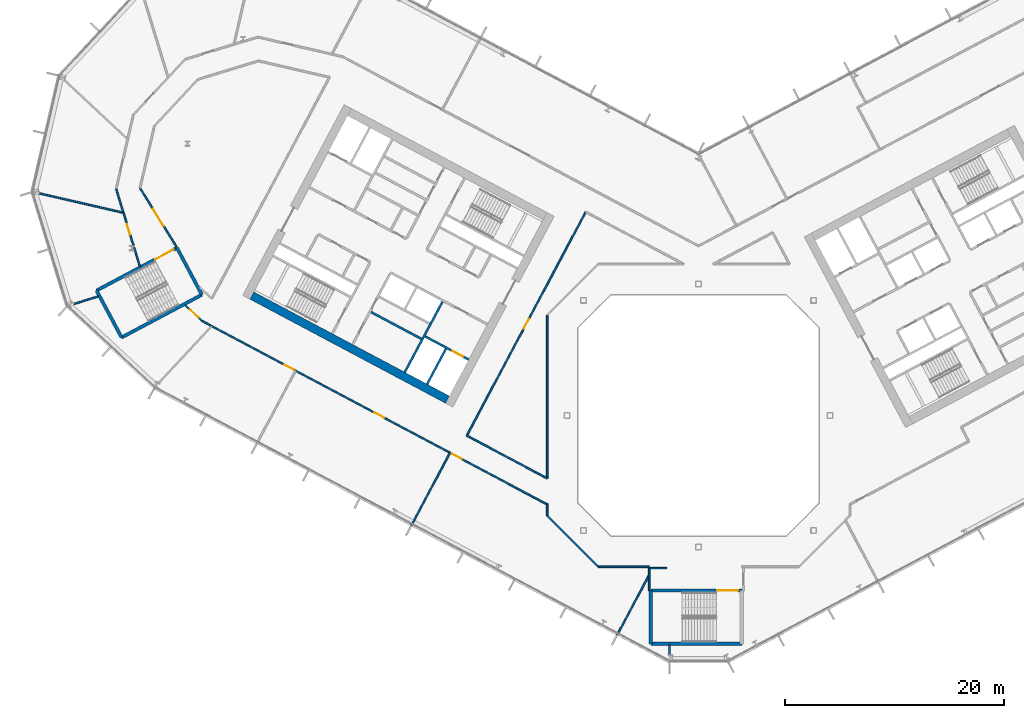
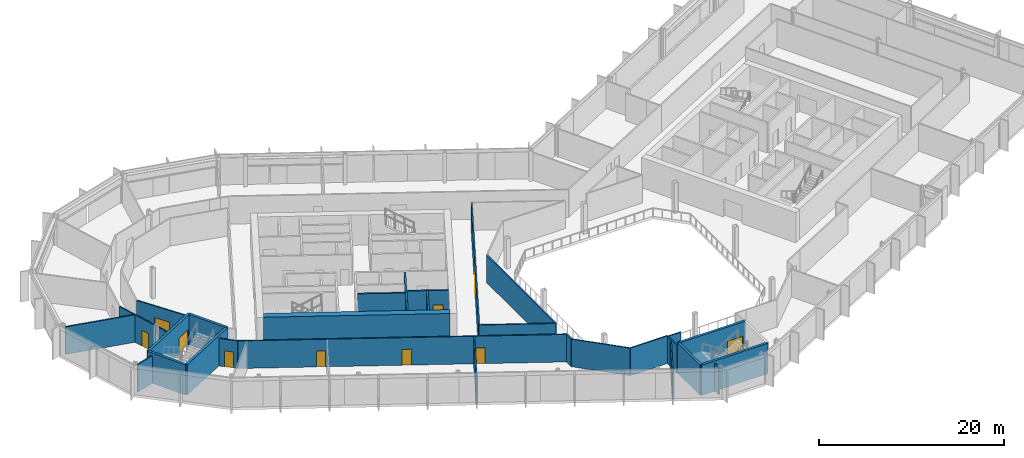
# One storey, part 13 of 28: 32 walls, 10 doors, 10 openings.
"""IFC4 building model written with IfcOpenShell, lengths in metres."""

import ifcopenshell
import ifcopenshell.guid

model = None  # the IFC model being written
_history = None  # IfcOwnerHistory: only IFC2X3 demands one
_inside = {}  # id of a spatial element -> (the spatial element, [elements in it])
_under = {}  # id of a project, library or spatial element -> (it, [spatial elements below it])
_declared = {}  # id of a project -> (the project, [libraries it declares])
_typed = {}  # id of a type object -> (the type object, [elements of that type])
_made_of = {}  # id of a material, layer set ... -> (it, [elements and type objects made of it])


def new_model(schema):
    """Start an empty IFC model of exactly this schema.

    Asked for "IFC4X3", IfcOpenShell would pick the latest addendum, in which some entities
    have other attributes; the version numbers below select the first issue.
    IFC2X3 requires an IfcOwnerHistory on every rooted entity: one is made here for all.
    """
    global model, _history
    if schema == "IFC4X3":
        model = ifcopenshell.file(schema_version=(4, 3, 0, 0))
    else:
        model = ifcopenshell.file(schema=schema)
    _inside.clear()
    _under.clear()
    _declared.clear()
    _typed.clear()
    _made_of.clear()
    _history = None
    if model.schema == "IFC2X3":
        org = make("IfcOrganization", Name="unknown")
        user = make(
            "IfcPersonAndOrganization",
            ThePerson=make("IfcPerson", FamilyName="unknown"),
            TheOrganization=org,
        )
        app = make(
            "IfcApplication",
            ApplicationDeveloper=org,
            Version="unknown",
            ApplicationFullName="unknown",
            ApplicationIdentifier="unknown",
        )
        _history = make(
            "IfcOwnerHistory",
            OwningUser=user,
            OwningApplication=app,
            ChangeAction="ADDED",
            CreationDate=0,
        )
    return model


def make(cls, **values):
    """One entity of the class cls with the attributes given. An attribute that is None is left unset."""
    return model.create_entity(
        cls, **{name: value for name, value in values.items() if value is not None}
    )


def rooted(cls, **values):
    """An entity with a GlobalId (a new one), such as an element, a storey or a relation."""
    return make(cls, GlobalId=ifcopenshell.guid.new(), OwnerHistory=_history, **values)


def si_unit(unit_type, name, prefix=None):
    """IfcSIUnit, for example si_unit("LENGTHUNIT", "METRE", prefix="MILLI")."""
    return make("IfcSIUnit", UnitType=unit_type, Prefix=prefix, Name=name)


def assignment(units):
    """IfcUnitAssignment: the units of a project."""
    return None if units is None else make("IfcUnitAssignment", Units=units)


def point(xyz):
    """IfcCartesianPoint."""
    return None if xyz is None else make("IfcCartesianPoint", Coordinates=xyz)


def direction(xyz):
    """IfcDirection."""
    return None if xyz is None else make("IfcDirection", DirectionRatios=xyz)


def frame(location, z_axis=None, x_axis=None):
    """IfcAxis2Placement3D, a coordinate frame: its origin and axes. An axis left out is left unset."""
    return make(
        "IfcAxis2Placement3D",
        Location=point(location),
        Axis=direction(z_axis),
        RefDirection=direction(x_axis),
    )


def frame_2d(location, x_axis=None):
    """IfcAxis2Placement2D, a coordinate frame in the plane: its origin and x axis."""
    return make(
        "IfcAxis2Placement2D", Location=point(location), RefDirection=direction(x_axis)
    )


def origin():
    """The frame at (0, 0, 0) with its axes left unset."""
    return frame((0.0, 0.0, 0.0))


def place(relative_to, where):
    """IfcLocalPlacement: puts the frame where relative to a parent placement (None: the world)."""
    return make(
        "IfcLocalPlacement", PlacementRelTo=relative_to, RelativePlacement=where
    )


def context(
    kind, dimensions, precision=None, world=None, true_north=None, identifier=None
):
    """IfcGeometricRepresentationContext, for example the 3D "Model" context."""
    return make(
        "IfcGeometricRepresentationContext",
        ContextIdentifier=identifier,
        ContextType=kind,
        CoordinateSpaceDimension=dimensions,
        Precision=precision,
        WorldCoordinateSystem=world,
        TrueNorth=true_north,
    )


def subcontext(parent, identifier, kind, view, scale=None):
    """IfcGeometricRepresentationSubContext, for example "Body" below "Model"."""
    return make(
        "IfcGeometricRepresentationSubContext",
        ContextIdentifier=identifier,
        ContextType=kind,
        ParentContext=parent,
        TargetScale=scale,
        TargetView=view,
    )


def project(units=None, contexts=None):
    """IfcProject with its units and contexts."""
    return rooted(
        "IfcProject",
        Name="project",
        RepresentationContexts=contexts,
        UnitsInContext=assignment(units),
    )


def spatial(cls, under=None, at=None, **own):
    """A site, building, storey or space (cls), placed at a placement, below another one or the project."""
    s = rooted(cls, ObjectPlacement=at, **own)
    if under is not None:
        _under.setdefault(under.id(), (under, []))[1].append(s)
    return s


def profile(cls, at=None, kind="AREA", **sizes):
    """A parametric profile (cls). Its sizes go by their IFC names, for example OverallWidth=200.0."""
    return make(cls, ProfileType=kind, Position=at, **sizes)


def rectangle(**sizes):
    """IfcRectangleProfileDef."""
    return profile("IfcRectangleProfileDef", **sizes)


def extrude(swept, where, along, depth):
    """IfcExtrudedAreaSolid: the profile swept, set in the frame where, extruded along a direction by depth."""
    return make(
        "IfcExtrudedAreaSolid",
        SweptArea=swept,
        Position=where,
        ExtrudedDirection=direction(along),
        Depth=depth,
    )


def shape(context_of_items, identifier, shape_type, items):
    """IfcShapeRepresentation: the items that make up one representation, for example the "Body"."""
    return make(
        "IfcShapeRepresentation",
        ContextOfItems=context_of_items,
        RepresentationIdentifier=identifier,
        RepresentationType=shape_type,
        Items=items,
    )


def material(Name=None, Category=None):
    """IfcMaterial."""
    return make("IfcMaterial", Name=Name, Category=Category)


def layer(
    of_material, thickness, ventilated=None, Name=None, Category=None, Priority=None
):
    """IfcMaterialLayer: one layer of a wall or slab, of a material (None: an air gap)."""
    return make(
        "IfcMaterialLayer",
        Material=of_material,
        LayerThickness=thickness,
        IsVentilated=ventilated,
        Name=Name,
        Category=Category,
        Priority=Priority,
    )


def layer_set(layers, Name=None):
    """IfcMaterialLayerSet."""
    return make("IfcMaterialLayerSet", MaterialLayers=layers, LayerSetName=Name)


def made_of(thing, what):
    """Note that an element or type object is made of a material, layer set ...; save() writes the relation."""
    if what is not None:
        _made_of.setdefault(what.id(), (what, []))[1].append(thing)
    return thing


def type_object(cls, material=None, **own):
    """A type object (cls), such as IfcWallType, which elements share."""
    return made_of(rooted(cls, **own), material)


def element(
    cls,
    number,
    at=None,
    inside=None,
    cuts=None,
    type_object=None,
    material=None,
    context=None,
    identifier="Body",
    shape_type=None,
    held_by="IfcProductDefinitionShape",
    body=None,
    shapes=None,
    **own,
):
    """One element of the class cls, such as IfcWall. Its Tag is "e" and its number.

    at: its placement. inside: the storey or other place that contains it. cuts: it is an
    opening in that element (IfcRelVoidsElement). A single representation is given by context,
    identifier, shape_type and body (its items); several are given by shapes. held_by: the class
    of the entity that holds the representations. save() writes the other relations.
    """
    e = rooted(cls, Tag="e%d" % number, ObjectPlacement=at, **own)
    if body is not None:
        shapes = [shape(context, identifier, shape_type, body)]
    if shapes is not None:
        e.Representation = make(held_by, Representations=shapes)
    if inside is not None:
        _inside.setdefault(inside.id(), (inside, []))[1].append(e)
    if cuts is not None:
        rooted(
            "IfcRelVoidsElement", RelatingBuildingElement=cuts, RelatedOpeningElement=e
        )
    if type_object is not None:
        _typed.setdefault(type_object.id(), (type_object, []))[1].append(e)
    return made_of(e, material)


def fill(opening, filler):
    """IfcRelFillsElement: the door or window that sits in an opening."""
    return rooted(
        "IfcRelFillsElement",
        RelatingOpeningElement=opening,
        RelatedBuildingElement=filler,
    )


def aggregate(whole, parts):
    """IfcRelAggregates: a whole, such as a stair, and the parts it consists of."""
    return rooted("IfcRelAggregates", RelatingObject=whole, RelatedObjects=parts)


def save(model, path):
    """Write the relations noted so far, then the file.

    IfcRelAggregates (storeys below a building ...), IfcRelContainedInSpatialStructure (elements
    in a storey), IfcRelDefinesByType, IfcRelAssociatesMaterial and IfcRelDeclares: one each for
    every whole, place, type object, material and project.
    """
    for whole, parts in _under.values():
        aggregate(whole, parts)
    for where, things in _inside.values():
        rooted(
            "IfcRelContainedInSpatialStructure",
            RelatedElements=things,
            RelatingStructure=where,
        )
    for kind, things in _typed.values():
        rooted("IfcRelDefinesByType", RelatedObjects=things, RelatingType=kind)
    for what, things in _made_of.values():
        rooted("IfcRelAssociatesMaterial", RelatedObjects=things, RelatingMaterial=what)
    for by, libraries in _declared.values():
        rooted("IfcRelDeclares", RelatingContext=by, RelatedDefinitions=libraries)
    model.write(path)


model = new_model("IFC4")

# Units and contexts
model_context = context("Model", 3, precision=1e-05, world=origin(), true_north=direction((0.0, 1.0)))
body_context = subcontext(model_context, "Body", "Model", "MODEL_VIEW")
ifc_project = project(units=[si_unit("LENGTHUNIT", "METRE"), si_unit("AREAUNIT", "SQUARE_METRE"), si_unit("VOLUMEUNIT", "CUBIC_METRE"), si_unit("PLANEANGLEUNIT", "RADIAN"), si_unit("MASSUNIT", "GRAM", prefix="KILO")], contexts=[model_context])

# Site, building, storey
site_placement = place(None, origin())
site = spatial("IfcSite", under=ifc_project, at=site_placement, CompositionType="ELEMENT")
building_placement = place(site_placement, origin())
building = spatial("IfcBuilding", under=site, at=building_placement, Name="Cormorant Relay Tower", CompositionType="ELEMENT")
storey_placement = place(building_placement, frame((0.0, 0.0, 126.199951171875)))
storey = spatial("IfcBuildingStorey", under=building, at=storey_placement, Name="L25", CompositionType="ELEMENT", Elevation=126.199951171875)

# Walls
ifc_material_1 = material(Name="Concrete 40 MPa", Category="concrete")
ifc_layer_1 = layer(ifc_material_1, 0.199951171875)
ifc_layer_set_1 = layer_set([ifc_layer_1], Name="Core internal wall 200")
wall_type_1 = type_object("IfcWallType", Name="Core internal wall 200", PredefinedType="SOLIDWALL", material=ifc_layer_set_1)
wall_1_placement = place(storey_placement, frame((-25.279541015625, 6.985595703125, 0.0), z_axis=(0.0, 0.0, 1.0), x_axis=(-0.882934506056, 0.469496174655, 0.0)))
element("IfcWall", 1, at=wall_1_placement, inside=storey, type_object=wall_type_1, Name="L25 core A shaft and room wall", PredefinedType="SOLIDWALL", context=body_context, shape_type="SweptSolid", body=[
    extrude(rectangle(XDim=5.199951171875, YDim=0.199951171875, at=frame_2d((2.60009765625, 0.0))), origin(), (0.0, 0.0, 1.0), 4.0),
])
ifc_material_2 = material(Name="Concrete 50 MPa", Category="concrete")
ifc_layer_2 = layer(ifc_material_2, 0.199951171875)
ifc_layer_set_2 = layer_set([ifc_layer_2], Name="Core shaft wall 200")
wall_type_2 = type_object("IfcWallType", Name="Core shaft wall 200", PredefinedType="SHEAR", material=ifc_layer_set_2)
wall_2_placement = place(storey_placement, frame((-23.04296875, 6.07958984375, 0.0), z_axis=(0.0, 0.0, 1.0), x_axis=(-0.469494272526, -0.882935517501, 0.0)))
element("IfcWall", 2, at=wall_2_placement, inside=storey, type_object=wall_type_2, Name="L25 core A shaft wall", PredefinedType="SHEAR", context=body_context, shape_type="SweptSolid", body=[
    extrude(rectangle(XDim=3.64990234375, YDim=0.199951171875, at=frame_2d((1.824951171875, 0.0))), origin(), (0.0, 0.0, 1.0), 4.0),
])
wall_3_placement = place(storey_placement, frame((-23.360107421875, 10.38232421875, 0.0), z_axis=(0.0, 0.0, 1.0), x_axis=(-0.469480409012, -0.88294288918, 0.0)))
element("IfcWall", 3, at=wall_3_placement, inside=storey, type_object=wall_type_2, Name="L25 core A shaft wall", PredefinedType="SHEAR", context=body_context, shape_type="SweptSolid", body=[
    extrude(rectangle(XDim=7.300048828125, YDim=0.199951171875, at=frame_2d((3.64990234375, 0.0))), origin(), (0.0, 0.0, 1.0), 4.0),
])

# Wall, opening, door
wall_4_placement = place(storey_placement, frame((-20.96533203125, 5.088134765625, 0.0), z_axis=(0.0, 0.0, 1.0), x_axis=(-0.882925986334, 0.469512196493, 0.0)))
wall_4 = element("IfcWall", 4, at=wall_4_placement, inside=storey, type_object=wall_type_2, Name="L25 core A shaft wall", PredefinedType="SHEAR", context=body_context, shape_type="SweptSolid", body=[
    extrude(rectangle(XDim=4.5, YDim=0.199951171875, at=frame_2d((2.25, 0.0))), origin(), (0.0, 0.0, 1.0), 4.0),
])
opening_1_placement = place(wall_4_placement, frame((0.60009765625, 0.0, 0.0)))
opening_1 = element("IfcOpeningElement", 5, at=opening_1_placement, cuts=wall_4, Name="Opening LD1-043", PredefinedType="OPENING", context=body_context, shape_type="SweptSolid", body=[
    extrude(rectangle(XDim=1.10009765625, YDim=2.10009765625, at=frame_2d((0.550048828125, 1.050048828125))), frame((0.0, 0.10986328125, 0.0), z_axis=(0.0, -1.0, 0.0), x_axis=(1.0, 0.0, 0.0)), (0.0, 0.0, 1.0), 0.219970703125),
])
ifc_material_3 = material(Name="Stainless steel 316", Category="steel")
door_type_1 = type_object("IfcDoorType", Name="Lift landing door 1100x2100", OperationType="DOUBLE_DOOR_SLIDING", PredefinedType="DOOR", material=ifc_material_3)
door_1_placement = place(opening_1_placement, origin())
door_1 = element("IfcDoor", 6, at=door_1_placement, inside=storey, type_object=door_type_1, Name="FF1 landing door", OperationType="DOUBLE_DOOR_SLIDING", OverallHeight=2.10009765625, OverallWidth=1.10009765625, PredefinedType="DOOR", context=body_context, shape_type="SweptSolid", body=[
    extrude(rectangle(XDim=1.10009765625, YDim=2.10009765625, at=frame_2d((0.550048828125, 1.050048828125))), frame((0.0, 0.02490234375, 0.0), z_axis=(0.0, -1.0, 0.0), x_axis=(1.0, 0.0, 0.0)), (0.0, 0.0, 1.0), 0.050048828125),
])
fill(opening_1, door_1)

# Walls
ifc_material_4 = material(Name="Concrete 60 MPa", Category="concrete")
ifc_layer_3 = layer(ifc_material_4, 0.75)
ifc_layer_set_3 = layer_set([ifc_layer_3], Name="Core wall 750")
wall_type_3 = type_object("IfcWallType", Name="Core wall 750", PredefinedType="SHEAR", material=ifc_layer_set_3)
wall_5_placement = place(storey_placement, frame((-22.90185546875, 1.446044921875, 0.0), z_axis=(0.0, 0.0, 1.0), x_axis=(-0.88294509198, 0.469476266226, 0.0)))
element("IfcWall", 7, at=wall_5_placement, inside=storey, type_object=wall_type_3, Name="L25 core A wall", PredefinedType="SHEAR", context=body_context, shape_type="SweptSolid", body=[
    extrude(rectangle(XDim=20.199951171875, YDim=0.75, at=frame_2d((10.10009765625, 0.0))), origin(), (0.0, 0.0, 1.0), 4.0),
])
ifc_material_5 = material(Name="Gypsum board fire partition")
ifc_layer_4 = layer(ifc_material_5, 0.14990234375)
ifc_layer_set_4 = layer_set([ifc_layer_4], Name="Corridor partition 150 EI 60")
wall_type_4 = type_object("IfcWallType", Name="Corridor partition 150 EI 60", PredefinedType="PARTITIONING", material=ifc_layer_set_4)
wall_6_placement = place(storey_placement, frame((-53.114990234375, 20.658935546875, 0.0), z_axis=(0.0, 0.0, 1.0), x_axis=(0.292062202153, -0.956399325634, 0.0)))
element("IfcWall", 8, at=wall_6_placement, inside=storey, type_object=wall_type_4, Name="wall/L25/part/005", PredefinedType="PARTITIONING", context=body_context, shape_type="SweptSolid", body=[
    extrude(rectangle(XDim=2.221923828125, YDim=0.14990234375, at=frame_2d((1.11083984375, 0.0))), origin(), (0.0, 0.0, 1.0), 3.64013671875),
])
wall_7_placement = place(storey_placement, frame((-50.958984375, 13.60400390625, 0.0), z_axis=(0.0, 0.0, 1.0), x_axis=(-0.292326826569, 0.95631847544, 0.0)))
element("IfcWall", 9, at=wall_7_placement, inside=storey, type_object=wall_type_4, Name="wall/L25/part/006", PredefinedType="PARTITIONING", context=body_context, shape_type="SweptSolid", body=[
    extrude(rectangle(XDim=1.775634765625, YDim=0.14990234375, at=frame_2d((0.8876953125, 0.0))), origin(), (0.0, 0.0, 1.0), 3.64013671875),
])

# Wall, opening, door
wall_8_placement = place(storey_placement, frame((-51.534912109375, 15.489990234375, 0.0), z_axis=(0.0, 0.0, 1.0), x_axis=(-0.292522494411, 0.956258641929, 0.0)))
wall_8 = element("IfcWall", 10, at=wall_8_placement, inside=storey, type_object=wall_type_4, Name="wall/L25/part/007", PredefinedType="PARTITIONING", context=body_context, shape_type="SweptSolid", body=[
    extrude(rectangle(XDim=3.18310546875, YDim=0.14990234375, at=frame_2d((1.591552734375, 0.0))), origin(), (0.0, 0.0, 1.0), 3.64013671875),
])
opening_2_placement = place(wall_8_placement, frame((1.050048828125, 0.0, 0.0)))
opening_2 = element("IfcOpeningElement", 11, at=opening_2_placement, cuts=wall_8, Name="Opening DS-012", PredefinedType="OPENING", context=body_context, shape_type="SweptSolid", body=[
    extrude(rectangle(XDim=1.0, YDim=2.10009765625, at=frame_2d((0.5, 1.050048828125))), frame((0.0, 0.0849609375, 0.0), z_axis=(0.0, -1.0, 0.0), x_axis=(1.0, 0.0, 0.0)), (0.0, 0.0, 1.0), 0.169921875),
])
ifc_material_6 = material(Name="Timber door leaf", Category="wood")
door_type_2 = type_object("IfcDoorType", Name="Suite door 1000x2100", OperationType="SINGLE_SWING_LEFT", PredefinedType="DOOR", material=ifc_material_6)
door_2_placement = place(opening_2_placement, origin())
door_2 = element("IfcDoor", 12, at=door_2_placement, inside=storey, type_object=door_type_2, Name="door/L25/016", OperationType="SINGLE_SWING_LEFT", OverallHeight=2.10009765625, OverallWidth=1.0, PredefinedType="DOOR", context=body_context, shape_type="SweptSolid", body=[
    extrude(rectangle(XDim=1.0, YDim=2.10009765625, at=frame_2d((0.5, 1.050048828125))), frame((0.0, 0.02490234375, 0.0), z_axis=(0.0, -1.0, 0.0), x_axis=(1.0, 0.0, 0.0)), (0.0, 0.0, 1.0), 0.050048828125),
])
fill(opening_2, door_2)

wall_9_placement = place(storey_placement, frame((-47.617919921875, 15.37890625, 0.0), z_axis=(0.0, 0.0, 1.0), x_axis=(-0.527298267237, 0.849680255961, 0.0)))
wall_9 = element("IfcWall", 13, at=wall_9_placement, inside=storey, type_object=wall_type_4, Name="wall/L25/part/015", PredefinedType="PARTITIONING", context=body_context, shape_type="SweptSolid", body=[
    extrude(rectangle(XDim=6.3037109375, YDim=0.14990234375, at=frame_2d((3.15185546875, 0.0))), origin(), (0.0, 0.0, 1.0), 3.64013671875),
])
opening_3_placement = place(wall_9_placement, frame((2.25, 0.0, 0.0)))
opening_3 = element("IfcOpeningElement", 14, at=opening_3_placement, cuts=wall_9, Name="Opening DD-001", PredefinedType="OPENING", context=body_context, shape_type="SweptSolid", body=[
    extrude(rectangle(XDim=1.800048828125, YDim=2.10009765625, at=frame_2d((0.89990234375, 1.050048828125))), frame((0.0, 0.0849609375, 0.0), z_axis=(0.0, -1.0, 0.0), x_axis=(1.0, 0.0, 0.0)), (0.0, 0.0, 1.0), 0.169921875),
])
ifc_material_7 = material(Name="Timber door leaf", Category="wood")
door_type_3 = type_object("IfcDoorType", Name="Suite double door 1800x2100", OperationType="DOUBLE_DOOR_SINGLE_SWING", PredefinedType="DOOR", material=ifc_material_7)
door_3_placement = place(opening_3_placement, frame((1.800048828125, 0.0, 0.0), z_axis=(0.0, 0.0, 1.0), x_axis=(-1.0, 0.0, 0.0)))
door_3 = element("IfcDoor", 15, at=door_3_placement, inside=storey, type_object=door_type_3, Name="door/L25/001", OperationType="DOUBLE_DOOR_SINGLE_SWING", OverallHeight=2.10009765625, OverallWidth=1.800048828125, PredefinedType="DOOR", context=body_context, shape_type="SweptSolid", body=[
    extrude(rectangle(XDim=1.800048828125, YDim=2.10009765625, at=frame_2d((0.89990234375, 1.050048828125))), frame((0.0, 0.02490234375, 0.0), z_axis=(0.0, -1.0, 0.0), x_axis=(1.0, 0.0, 0.0)), (0.0, 0.0, 1.0), 0.050048828125),
])
fill(opening_3, door_3)

# Wall
wall_10_placement = place(storey_placement, frame((-44.4619140625, 8.180908203125, 0.0), z_axis=(0.0, 0.0, 1.0), x_axis=(-0.882750253305, 0.469842516478, 0.0)))
element("IfcWall", 16, at=wall_10_placement, inside=storey, type_object=wall_type_4, Name="wall/L25/part/022", PredefinedType="PARTITIONING", context=body_context, shape_type="SweptSolid", body=[
    extrude(rectangle(XDim=0.934814453125, YDim=0.14990234375, at=frame_2d((0.46728515625, 0.0))), origin(), (0.0, 0.0, 1.0), 3.64013671875),
])

# Wall, opening, door
wall_11_placement = place(storey_placement, frame((-45.287109375, 8.6201171875, 0.0), z_axis=(0.0, 0.0, 1.0), x_axis=(-0.731593637228, 0.681740969846, 0.0)))
wall_11 = element("IfcWall", 17, at=wall_11_placement, inside=storey, type_object=wall_type_4, Name="wall/L25/part/023", PredefinedType="PARTITIONING", context=body_context, shape_type="SweptSolid", body=[
    extrude(rectangle(XDim=2.12548828125, YDim=0.14990234375, at=frame_2d((1.062744140625, 0.0))), origin(), (0.0, 0.0, 1.0), 3.64013671875),
])
opening_4_placement = place(wall_11_placement, frame((0.449951171875, 0.0, 0.0)))
opening_4 = element("IfcOpeningElement", 18, at=opening_4_placement, cuts=wall_11, Name="Opening DS-013", PredefinedType="OPENING", context=body_context, shape_type="SweptSolid", body=[
    extrude(rectangle(XDim=1.0, YDim=2.10009765625, at=frame_2d((0.5, 1.050048828125))), frame((0.0, 0.0849609375, 0.0), z_axis=(0.0, -1.0, 0.0), x_axis=(1.0, 0.0, 0.0)), (0.0, 0.0, 1.0), 0.169921875),
])
door_4_placement = place(opening_4_placement, origin())
door_4 = element("IfcDoor", 19, at=door_4_placement, inside=storey, type_object=door_type_2, Name="door/L25/017", OperationType="SINGLE_SWING_RIGHT", OverallHeight=2.10009765625, OverallWidth=1.0, PredefinedType="DOOR", context=body_context, shape_type="SweptSolid", body=[
    extrude(rectangle(XDim=1.0, YDim=2.10009765625, at=frame_2d((0.5, 1.050048828125))), frame((0.0, 0.02490234375, 0.0), z_axis=(0.0, -1.0, 0.0), x_axis=(1.0, 0.0, 0.0)), (0.0, 0.0, 1.0), 0.050048828125),
])
fill(opening_4, door_4)

# Wall, openings, doors
wall_12_placement = place(storey_placement, frame((-13.800048828125, -8.1220703125, 0.0), z_axis=(0.0, 0.0, 1.0), x_axis=(-0.882950271686, 0.469466524611, 0.0)))
wall_12 = element("IfcWall", 20, at=wall_12_placement, inside=storey, type_object=wall_type_4, Name="wall/L25/part/024", PredefinedType="PARTITIONING", context=body_context, shape_type="SweptSolid", body=[
    extrude(rectangle(XDim=34.7265625, YDim=0.14990234375, at=frame_2d((17.36328125, 0.0))), origin(), (0.0, 0.0, 1.0), 3.64013671875),
])
opening_5_placement = place(wall_12_placement, frame((26.14990234375, 0.0, 0.0)))
opening_5 = element("IfcOpeningElement", 21, at=opening_5_placement, cuts=wall_12, Name="Opening DS-014", PredefinedType="OPENING", context=body_context, shape_type="SweptSolid", body=[
    extrude(rectangle(XDim=1.0, YDim=2.10009765625, at=frame_2d((0.5, 1.050048828125))), frame((0.0, 0.0849609375, 0.0), z_axis=(0.0, -1.0, 0.0), x_axis=(1.0, 0.0, 0.0)), (0.0, 0.0, 1.0), 0.169921875),
])
opening_6_placement = place(wall_12_placement, frame((16.85009765625, 0.0, 0.0)))
opening_6 = element("IfcOpeningElement", 22, at=opening_6_placement, cuts=wall_12, Name="Opening DS-015", PredefinedType="OPENING", context=body_context, shape_type="SweptSolid", body=[
    extrude(rectangle(XDim=1.0, YDim=2.10009765625, at=frame_2d((0.5, 1.050048828125))), frame((0.0, 0.0849609375, 0.0), z_axis=(0.0, -1.0, 0.0), x_axis=(1.0, 0.0, 0.0)), (0.0, 0.0, 1.0), 0.169921875),
])
opening_7_placement = place(wall_12_placement, frame((8.85107421875, 0.0, 0.0)))
opening_7 = element("IfcOpeningElement", 23, at=opening_7_placement, cuts=wall_12, Name="Opening DS-016", PredefinedType="OPENING", context=body_context, shape_type="SweptSolid", body=[
    extrude(rectangle(XDim=1.0, YDim=2.10009765625, at=frame_2d((0.5, 1.050048828125))), frame((0.0, 0.0849609375, 0.0), z_axis=(0.0, -1.0, 0.0), x_axis=(1.0, 0.0, 0.0)), (0.0, 0.0, 1.0), 0.169921875),
])
door_5_placement = place(opening_5_placement, origin())
door_5 = element("IfcDoor", 24, at=door_5_placement, inside=storey, type_object=door_type_2, Name="door/L25/018", OperationType="SINGLE_SWING_LEFT", OverallHeight=2.10009765625, OverallWidth=1.0, PredefinedType="DOOR", context=body_context, shape_type="SweptSolid", body=[
    extrude(rectangle(XDim=1.0, YDim=2.10009765625, at=frame_2d((0.5, 1.050048828125))), frame((0.0, 0.02490234375, 0.0), z_axis=(0.0, -1.0, 0.0), x_axis=(1.0, 0.0, 0.0)), (0.0, 0.0, 1.0), 0.050048828125),
])
fill(opening_5, door_5)
door_6_placement = place(opening_6_placement, origin())
door_6 = element("IfcDoor", 25, at=door_6_placement, inside=storey, type_object=door_type_2, Name="door/L25/019", OperationType="SINGLE_SWING_LEFT", OverallHeight=2.10009765625, OverallWidth=1.0, PredefinedType="DOOR", context=body_context, shape_type="SweptSolid", body=[
    extrude(rectangle(XDim=1.0, YDim=2.10009765625, at=frame_2d((0.5, 1.050048828125))), frame((0.0, 0.02490234375, 0.0), z_axis=(0.0, -1.0, 0.0), x_axis=(1.0, 0.0, 0.0)), (0.0, 0.0, 1.0), 0.050048828125),
])
fill(opening_6, door_6)
door_7_placement = place(opening_7_placement, origin())
door_7 = element("IfcDoor", 26, at=door_7_placement, inside=storey, type_object=door_type_2, Name="door/L25/020", OperationType="SINGLE_SWING_RIGHT", OverallHeight=2.10009765625, OverallWidth=1.0, PredefinedType="DOOR", context=body_context, shape_type="SweptSolid", body=[
    extrude(rectangle(XDim=1.0, YDim=2.10009765625, at=frame_2d((0.5, 1.050048828125))), frame((0.0, 0.02490234375, 0.0), z_axis=(0.0, -1.0, 0.0), x_axis=(1.0, 0.0, 0.0)), (0.0, 0.0, 1.0), 0.050048828125),
])
fill(opening_7, door_7)

# Walls
wall_13_placement = place(storey_placement, frame((-4.489990234375, -13.800048828125, 0.0), z_axis=(0.0, 0.0, 1.0), x_axis=(-1.0, 0.0, 0.0)))
element("IfcWall", 27, at=wall_13_placement, inside=storey, type_object=wall_type_4, Name="wall/L25/part/037", PredefinedType="PARTITIONING", context=body_context, shape_type="SweptSolid", body=[
    extrude(rectangle(XDim=4.669921875, YDim=0.14990234375, at=frame_2d((2.3349609375, 0.0))), origin(), (0.0, 0.0, 1.0), 3.64013671875),
])
wall_14_placement = place(storey_placement, frame((-9.159912109375, -13.800048828125, 0.0), z_axis=(0.0, 0.0, 1.0), x_axis=(-0.707106781187, 0.707106781187, 0.0)))
element("IfcWall", 28, at=wall_14_placement, inside=storey, type_object=wall_type_4, Name="wall/L25/part/038", PredefinedType="PARTITIONING", context=body_context, shape_type="SweptSolid", body=[
    extrude(rectangle(XDim=6.562255859375, YDim=0.14990234375, at=frame_2d((3.28125, 0.0))), origin(), (0.0, 0.0, 1.0), 3.64013671875),
])
wall_15_placement = place(storey_placement, frame((-13.800048828125, -9.159912109375, 0.0), z_axis=(0.0, 0.0, 1.0), x_axis=(0.0, 1.0, 0.0)))
element("IfcWall", 29, at=wall_15_placement, inside=storey, type_object=wall_type_4, Name="wall/L25/part/039", PredefinedType="PARTITIONING", context=body_context, shape_type="SweptSolid", body=[
    extrude(rectangle(XDim=1.087890625, YDim=0.14990234375, at=frame_2d((0.5439453125, 0.0))), origin(), (0.0, 0.0, 1.0), 3.64013671875),
])
wall_16_placement = place(storey_placement, frame((-4.5, -13.926025390625, 0.0), z_axis=(0.0, 0.0, 1.0), x_axis=(0.0, -1.0, 0.0)))
element("IfcWall", 30, at=wall_16_placement, inside=storey, type_object=wall_type_4, Name="wall/L25/part/041", PredefinedType="PARTITIONING", context=body_context, shape_type="SweptSolid", body=[
    extrude(rectangle(XDim=2.049072265625, YDim=0.14990234375, at=frame_2d((1.0244140625, 0.0))), origin(), (0.0, 0.0, 1.0), 3.64013671875),
])
wall_17_placement = place(storey_placement, frame((-4.489990234375, -13.925048828125, 0.0), z_axis=(0.0, 0.0, 1.0), x_axis=(1.0, 0.0, 0.0)))
element("IfcWall", 31, at=wall_17_placement, inside=storey, type_object=wall_type_4, Name="wall/L25/part/042", PredefinedType="PARTITIONING", context=body_context, shape_type="SweptSolid", body=[
    extrude(rectangle(XDim=1.60400390625, YDim=0.14990234375, at=frame_2d((0.802001953125, 0.0))), origin(), (0.0, 0.0, 1.0), 3.64013671875),
])

# Wall, opening, door
wall_18_placement = place(storey_placement, frame((-21.138916015625, -1.841064453125, 0.0), z_axis=(0.0, 0.0, 1.0), x_axis=(0.46947923089, 0.882943515613, 0.0)))
wall_18 = element("IfcWall", 32, at=wall_18_placement, inside=storey, type_object=wall_type_4, Name="wall/L25/part/074", PredefinedType="PARTITIONING", context=body_context, shape_type="SweptSolid", body=[
    extrude(rectangle(XDim=23.10009765625, YDim=0.14990234375, at=frame_2d((11.550048828125, 0.0))), origin(), (0.0, 0.0, 1.0), 3.64013671875),
])
opening_8_placement = place(wall_18_placement, frame((11.050048828125, 0.0, 0.0)))
opening_8 = element("IfcOpeningElement", 33, at=opening_8_placement, cuts=wall_18, Name="Opening DS-001", PredefinedType="OPENING", context=body_context, shape_type="SweptSolid", body=[
    extrude(rectangle(XDim=1.0, YDim=2.10009765625, at=frame_2d((0.5, 1.050048828125))), frame((0.0, 0.0849609375, 0.0), z_axis=(0.0, -1.0, 0.0), x_axis=(1.0, 0.0, 0.0)), (0.0, 0.0, 1.0), 0.169921875),
])
door_8_placement = place(opening_8_placement, frame((1.0, 0.0, 0.0), z_axis=(0.0, 0.0, 1.0), x_axis=(-1.0, 0.0, 0.0)))
door_8 = element("IfcDoor", 34, at=door_8_placement, inside=storey, type_object=door_type_2, Name="door/L25/002", OperationType="SINGLE_SWING_LEFT", OverallHeight=2.10009765625, OverallWidth=1.0, PredefinedType="DOOR", context=body_context, shape_type="SweptSolid", body=[
    extrude(rectangle(XDim=1.0, YDim=2.10009765625, at=frame_2d((0.5, 1.050048828125))), frame((0.0, 0.02490234375, 0.0), z_axis=(0.0, -1.0, 0.0), x_axis=(1.0, 0.0, 0.0)), (0.0, 0.0, 1.0), 0.050048828125),
])
fill(opening_8, door_8)

# Walls
wall_19_placement = place(storey_placement, frame((-13.800048828125, 9.159912109375, 0.0), z_axis=(0.0, 0.0, 1.0), x_axis=(0.0, -1.0, 0.0)))
element("IfcWall", 35, at=wall_19_placement, inside=storey, type_object=wall_type_4, Name="wall/L25/part/078", PredefinedType="PARTITIONING", context=body_context, shape_type="SweptSolid", body=[
    extrude(rectangle(XDim=14.90380859375, YDim=0.14990234375, at=frame_2d((7.451904296875, 0.0))), origin(), (0.0, 0.0, 1.0), 3.64013671875),
])
wall_20_placement = place(storey_placement, frame((-13.800048828125, -5.743896484375, 0.0), z_axis=(0.0, 0.0, 1.0), x_axis=(-0.882913323819, 0.469536007803, 0.0)))
element("IfcWall", 36, at=wall_20_placement, inside=storey, type_object=wall_type_4, Name="wall/L25/part/079", PredefinedType="PARTITIONING", context=body_context, shape_type="SweptSolid", body=[
    extrude(rectangle(XDim=8.31201171875, YDim=0.14990234375, at=frame_2d((4.156005859375, 0.0))), origin(), (0.0, 0.0, 1.0), 3.64013671875),
])
ifc_material_8 = material(Name="Concrete 50 MPa", Category="concrete")
ifc_layer_5 = layer(ifc_material_8, 0.300048828125)
ifc_layer_set_5 = layer_set([ifc_layer_5], Name="Remote stair wall 300")
wall_type_5 = type_object("IfcWallType", Name="Remote stair wall 300", PredefinedType="SHEAR", material=ifc_layer_set_5)
wall_21_placement = place(storey_placement, frame((3.949951171875, -20.824951171875, 0.0), z_axis=(0.0, 0.0, 1.0), x_axis=(-1.0, 0.0, 0.0)))
element("IfcWall", 37, at=wall_21_placement, inside=storey, type_object=wall_type_5, Name="L25 exit stair RK1 wall", PredefinedType="SHEAR", context=body_context, shape_type="SweptSolid", body=[
    extrude(rectangle(XDim=8.300048828125, YDim=0.300048828125, at=frame_2d((4.14990234375, 0.0))), origin(), (0.0, 0.0, 1.0), 4.0),
])
wall_22_placement = place(storey_placement, frame((-4.35009765625, -20.824951171875, 0.0), z_axis=(0.0, 0.0, 1.0), x_axis=(0.0, 1.0, 0.0)))
element("IfcWall", 38, at=wall_22_placement, inside=storey, type_object=wall_type_5, Name="L25 exit stair RK1 wall", PredefinedType="SHEAR", context=body_context, shape_type="SweptSolid", body=[
    extrude(rectangle(XDim=4.849853515625, YDim=0.300048828125, at=frame_2d((2.4248046875, 0.0))), origin(), (0.0, 0.0, 1.0), 4.0),
])

# Wall, opening, door
wall_23_placement = place(storey_placement, frame((-4.35009765625, -15.97509765625, 0.0), z_axis=(0.0, 0.0, 1.0), x_axis=(1.0, 0.0, 0.0)))
wall_23 = element("IfcWall", 39, at=wall_23_placement, inside=storey, type_object=wall_type_5, Name="L25 exit stair RK1 wall", PredefinedType="SHEAR", context=body_context, shape_type="SweptSolid", body=[
    extrude(rectangle(XDim=8.300048828125, YDim=0.300048828125, at=frame_2d((4.14990234375, 0.0))), origin(), (0.0, 0.0, 1.0), 4.0),
])
opening_9_placement = place(wall_23_placement, frame((6.050048828125, 0.0, 0.0)))
opening_9 = element("IfcOpeningElement", 40, at=opening_9_placement, cuts=wall_23, Name="Opening CDE-012", PredefinedType="OPENING", context=body_context, shape_type="SweptSolid", body=[
    extrude(rectangle(XDim=1.89990234375, YDim=2.10009765625, at=frame_2d((0.949951171875, 1.050048828125))), frame((0.0, 0.159912109375, 0.0), z_axis=(0.0, -1.0, 0.0), x_axis=(1.0, 0.0, 0.0)), (0.0, 0.0, 1.0), 0.320068359375),
])
ifc_material_9 = material(Name="Steel fire door", Category="steel")
door_type_4 = type_object("IfcDoorType", Name="Remote stair door 1900x2100", OperationType="DOUBLE_DOOR_SINGLE_SWING", PredefinedType="DOOR", material=ifc_material_9)
door_9_placement = place(opening_9_placement, frame((1.89990234375, 0.0, 0.0), z_axis=(0.0, 0.0, 1.0), x_axis=(-1.0, 0.0, 0.0)))
door_9 = element("IfcDoor", 41, at=door_9_placement, inside=storey, type_object=door_type_4, Name="Exit stair RK1 door", OperationType="DOUBLE_DOOR_SINGLE_SWING", OverallHeight=2.10009765625, OverallWidth=1.89990234375, PredefinedType="DOOR", context=body_context, shape_type="SweptSolid", body=[
    extrude(rectangle(XDim=1.89990234375, YDim=2.10009765625, at=frame_2d((0.949951171875, 1.050048828125))), frame((0.0, 0.02490234375, 0.0), z_axis=(0.0, -1.0, 0.0), x_axis=(1.0, 0.0, 0.0)), (0.0, 0.0, 1.0), 0.050048828125),
])
fill(opening_9, door_9)

# Walls
wall_24_placement = place(storey_placement, frame((-47.57421875, 15.28955078125, 0.0), z_axis=(0.0, 0.0, 1.0), x_axis=(0.469443498566, -0.882962514297, 0.0)))
element("IfcWall", 42, at=wall_24_placement, inside=storey, type_object=wall_type_5, Name="L25 exit stair RP1 wall", PredefinedType="SHEAR", context=body_context, shape_type="SweptSolid", body=[
    extrude(rectangle(XDim=4.85009765625, YDim=0.300048828125, at=frame_2d((2.425048828125, 0.0))), origin(), (0.0, 0.0, 1.0), 4.0),
])
wall_25_placement = place(storey_placement, frame((-45.29736328125, 11.007080078125, 0.0), z_axis=(0.0, 0.0, 1.0), x_axis=(-0.882951519127, -0.469464178475, 0.0)))
element("IfcWall", 43, at=wall_25_placement, inside=storey, type_object=wall_type_5, Name="L25 exit stair RP1 wall", PredefinedType="SHEAR", context=body_context, shape_type="SweptSolid", body=[
    extrude(rectangle(XDim=8.2998046875, YDim=0.300048828125, at=frame_2d((4.14990234375, 0.0))), origin(), (0.0, 0.0, 1.0), 4.0),
])
wall_26_placement = place(storey_placement, frame((-52.625732421875, 7.110595703125, 0.0), z_axis=(0.0, 0.0, 1.0), x_axis=(-0.469464364128, 0.882951420416, 0.0)))
element("IfcWall", 44, at=wall_26_placement, inside=storey, type_object=wall_type_5, Name="L25 exit stair RP1 wall", PredefinedType="SHEAR", context=body_context, shape_type="SweptSolid", body=[
    extrude(rectangle(XDim=4.849853515625, YDim=0.300048828125, at=frame_2d((2.4248046875, 0.0))), origin(), (0.0, 0.0, 1.0), 4.0),
])

# Wall, opening, door
wall_27_placement = place(storey_placement, frame((-54.902587890625, 11.392822265625, 0.0), z_axis=(0.0, 0.0, 1.0), x_axis=(0.882939326045, 0.469487110071, 0.0)))
wall_27 = element("IfcWall", 45, at=wall_27_placement, inside=storey, type_object=wall_type_5, Name="L25 exit stair RP1 wall", PredefinedType="SHEAR", context=body_context, shape_type="SweptSolid", body=[
    extrude(rectangle(XDim=8.300048828125, YDim=0.300048828125, at=frame_2d((4.14990234375, 0.0))), origin(), (0.0, 0.0, 1.0), 4.0),
])
opening_10_placement = place(wall_27_placement, frame((6.050048828125, 0.0, 0.0)))
opening_10 = element("IfcOpeningElement", 46, at=opening_10_placement, cuts=wall_27, Name="Opening CDE-013", PredefinedType="OPENING", context=body_context, shape_type="SweptSolid", body=[
    extrude(rectangle(XDim=1.89990234375, YDim=2.10009765625, at=frame_2d((0.949951171875, 1.050048828125))), frame((0.0, 0.159912109375, 0.0), z_axis=(0.0, -1.0, 0.0), x_axis=(1.0, 0.0, 0.0)), (0.0, 0.0, 1.0), 0.320068359375),
])
door_10_placement = place(opening_10_placement, frame((1.89990234375, 0.0, 0.0), z_axis=(0.0, 0.0, 1.0), x_axis=(-1.0, 0.0, 0.0)))
door_10 = element("IfcDoor", 47, at=door_10_placement, inside=storey, type_object=door_type_4, Name="Exit stair RP1 door", OperationType="DOUBLE_DOOR_SINGLE_SWING", OverallHeight=2.10009765625, OverallWidth=1.89990234375, PredefinedType="DOOR", context=body_context, shape_type="SweptSolid", body=[
    extrude(rectangle(XDim=1.89990234375, YDim=2.10009765625, at=frame_2d((0.949951171875, 1.050048828125))), frame((0.0, 0.02490234375, 0.0), z_axis=(0.0, -1.0, 0.0), x_axis=(1.0, 0.0, 0.0)), (0.0, 0.0, 1.0), 0.050048828125),
])
fill(opening_10, door_10)

# Walls
ifc_material_10 = material(Name="Gypsum board partition")
ifc_layer_6 = layer(ifc_material_10, 0.14990234375)
ifc_layer_set_6 = layer_set([ifc_layer_6], Name="Tenant partition 150")
wall_type_6 = type_object("IfcWallType", Name="Tenant partition 150", PredefinedType="PARTITIONING", material=ifc_layer_set_6)
wall_28_placement = place(storey_placement, frame((-52.449951171875, 18.48388671875, 0.0), z_axis=(0.0, 0.0, 1.0), x_axis=(-0.974348948829, 0.225042498023, 0.0)))
element("IfcWall", 48, at=wall_28_placement, inside=storey, type_object=wall_type_6, Name="wall/L25/part/001", PredefinedType="PARTITIONING", context=body_context, shape_type="SweptSolid", body=[
    extrude(rectangle(XDim=7.892333984375, YDim=0.14990234375, at=frame_2d((3.9462890625, 0.0))), origin(), (0.0, 0.0, 1.0), 3.64013671875),
])
wall_29_placement = place(storey_placement, frame((-54.73193359375, 10.85693359375, 0.0), z_axis=(0.0, 0.0, 1.0), x_axis=(-0.956196980242, -0.292723991119, 0.0)))
element("IfcWall", 49, at=wall_29_placement, inside=storey, type_object=wall_type_6, Name="wall/L25/part/003", PredefinedType="PARTITIONING", context=body_context, shape_type="SweptSolid", body=[
    extrude(rectangle(XDim=2.343505859375, YDim=0.14990234375, at=frame_2d((1.171875, 0.0))), origin(), (0.0, 0.0, 1.0), 3.64013671875),
])
wall_30_placement = place(storey_placement, frame((-22.669921875, -3.406005859375, 0.0), z_axis=(0.0, 0.0, 1.0), x_axis=(-0.469451537303, -0.882958240306, 0.0)))
element("IfcWall", 50, at=wall_30_placement, inside=storey, type_object=wall_type_6, Name="wall/L25/part/029", PredefinedType="PARTITIONING", context=body_context, shape_type="SweptSolid", body=[
    extrude(rectangle(XDim=7.549560546875, YDim=0.14990234375, at=frame_2d((3.77490234375, 0.0))), origin(), (0.0, 0.0, 1.0), 3.64013671875),
])
wall_31_placement = place(storey_placement, frame((-4.5, -14.532958984375, 0.0), z_axis=(0.0, 0.0, 1.0), x_axis=(-0.469522352041, -0.882920585859, 0.0)))
element("IfcWall", 51, at=wall_31_placement, inside=storey, type_object=wall_type_6, Name="wall/L25/part/040", PredefinedType="PARTITIONING", context=body_context, shape_type="SweptSolid", body=[
    extrude(rectangle(XDim=6.25537109375, YDim=0.14990234375, at=frame_2d((3.127685546875, 0.0))), origin(), (0.0, 0.0, 1.0), 3.64013671875),
])
wall_32_placement = place(storey_placement, frame((-2.64892578125, -21.827880859375, 0.0), z_axis=(0.0, 0.0, 1.0), x_axis=(0.0, 1.0, 0.0)))
element("IfcWall", 52, at=wall_32_placement, inside=storey, type_object=wall_type_6, Name="wall/L25/part/043", PredefinedType="PARTITIONING", context=body_context, shape_type="SweptSolid", body=[
    extrude(rectangle(XDim=0.90283203125, YDim=0.14990234375, at=frame_2d((0.451416015625, 0.0))), origin(), (0.0, 0.0, 1.0), 3.64013671875),
])

save(model, "model.ifc")
